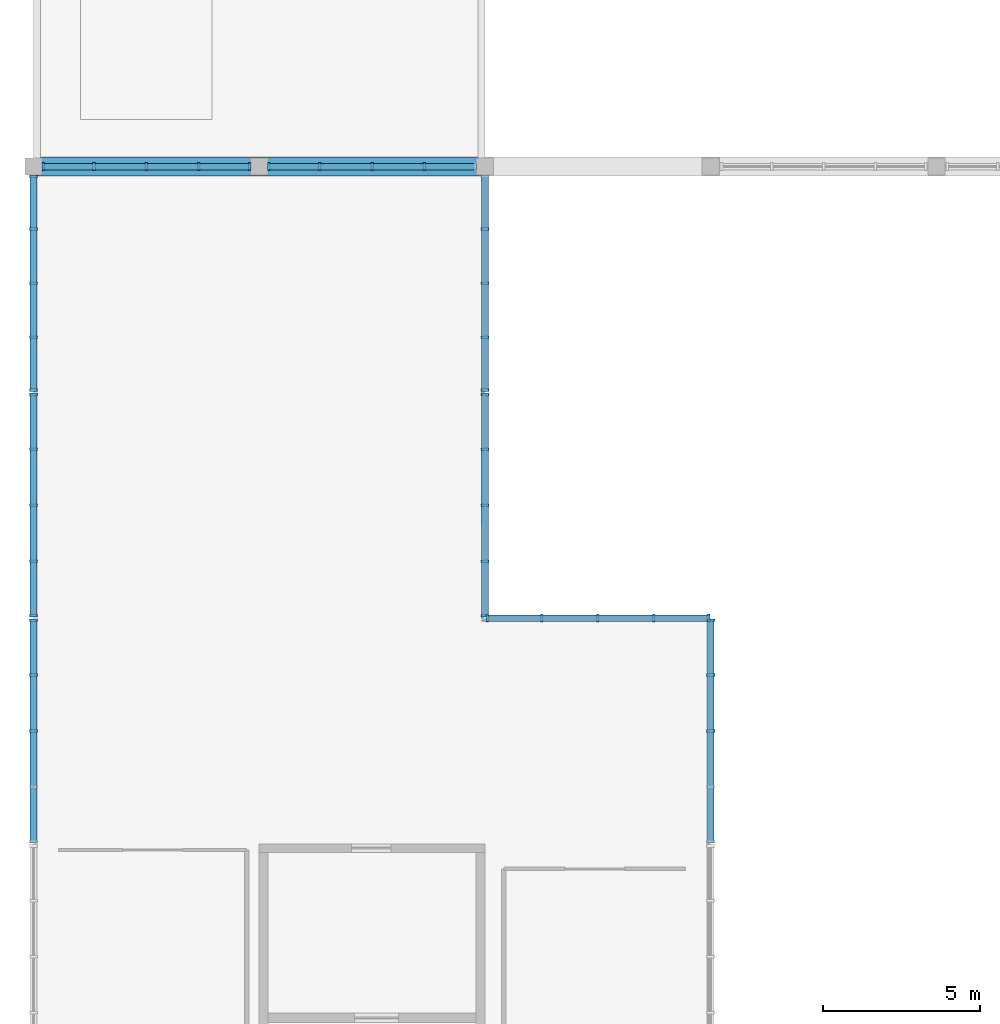
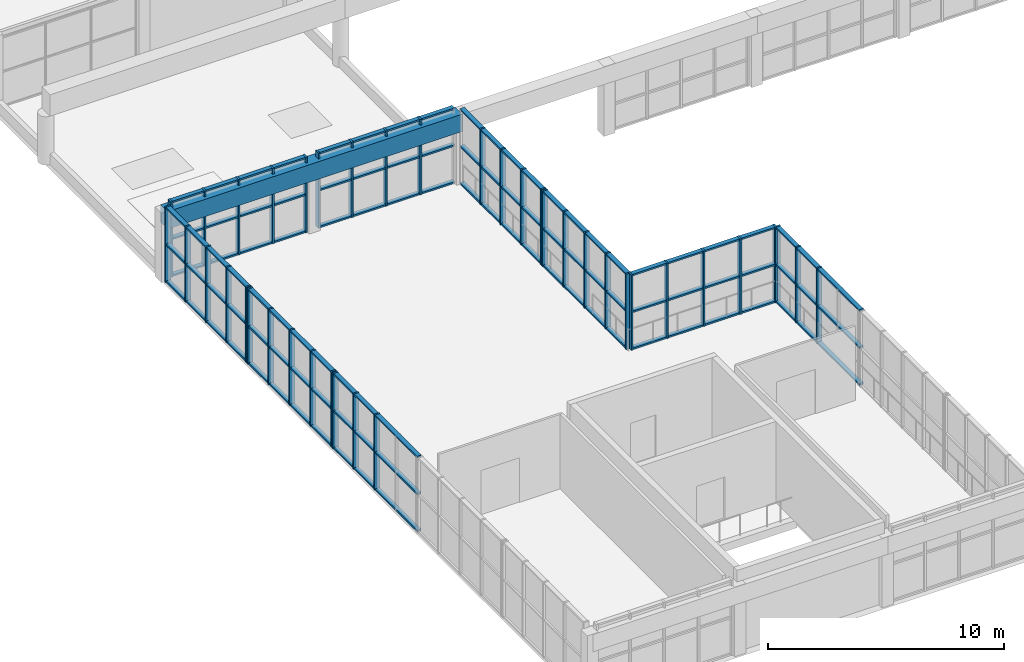
# One storey, part 9 of 83: 66 members, 1 beam, 9 elements without a shape of their own.
"""IFC4 building model written with IfcOpenShell, lengths in metres."""

from ifc_helpers import new_model, si_unit, direction, frame, origin, origin_2d, place, context, subcontext, project, spatial, rectangle, extrude, material, material_profile, profile_set, type_object, element, aggregate, save


model = new_model("IFC4")

# Units and contexts
model_context = context("Model", 3, precision=1e-05, world=origin(), true_north=direction((0.0, 1.0)))
body_context = subcontext(model_context, "Body", "Model", "MODEL_VIEW")
ifc_project = project(units=[si_unit("LENGTHUNIT", "METRE"), si_unit("AREAUNIT", "SQUARE_METRE"), si_unit("VOLUMEUNIT", "CUBIC_METRE"), si_unit("PLANEANGLEUNIT", "RADIAN"), si_unit("MASSUNIT", "GRAM", prefix="KILO")], contexts=[model_context])

# Site, building, storey
site_placement = place(None, origin())
site = spatial("IfcSite", under=ifc_project, at=site_placement, CompositionType="ELEMENT")
building_placement = place(site_placement, origin())
building = spatial("IfcBuilding", under=site, at=building_placement, Name="Leyfeld Transit Interchange", CompositionType="ELEMENT")
storey_placement = place(building_placement, frame((0.0, 0.0, 5.39990234375)))
storey = spatial("IfcBuildingStorey", under=building, at=storey_placement, Name="L01", CompositionType="ELEMENT", Elevation=5.39990234375)

# Beam
ifc_material_1 = material(Name="Concrete C35/45", Category="concrete")
ifc_material_profile_1 = material_profile(ifc_material_1, rectangle(XDim=0.60009765625, YDim=0.89990234375, at=origin_2d()), Name="RC 900x600")
ifc_profile_set_1 = profile_set([ifc_material_profile_1], Name="Concrete C35/45")
beam_type = type_object("IfcBeamType", Name="BM-RC-900x600", PredefinedType="JOIST", material=ifc_profile_set_1)
beam_placement = place(storey_placement, frame((0.0, 50.39990234375, 3.150146484375), z_axis=(1.0, 0.0, 0.0), x_axis=(0.0, 1.0, 0.0)))
element("IfcBeam", 1, at=beam_placement, inside=storey, type_object=beam_type, Name="Concourse Hall Flank Beam HN Bay 1", PredefinedType="JOIST", context=body_context, shape_type="SweptSolid", body=[
    extrude(rectangle(XDim=0.60009765625, YDim=0.89990234375, at=origin_2d()), origin(), (0.0, 0.0, 1.0), 14.39990234375),
])

# Curtain wall, members
ifc_material_2 = material(Name="Anodised aluminium EN AW-6060 T66", Category="aluminium")
curtain_wall_type = type_object("IfcCurtainWallType", Name="CW-SYS-ARC-7200", PredefinedType="NOTDEFINED", material=ifc_material_2)
curtain_wall_1_placement = place(storey_placement, origin())
curtain_wall_1 = element("IfcCurtainWall", 2, at=curtain_wall_1_placement, inside=storey, type_object=curtain_wall_type, Name="Curtain Wall CW-L01-054", PredefinedType="NOTDEFINED")
ifc_material_profile_2 = material_profile(ifc_material_2, rectangle(XDim=0.0849609375, YDim=0.260009765625, at=origin_2d()), Name="CW-M 85x260")
ifc_profile_set_2 = profile_set([ifc_material_profile_2], Name="Anodised aluminium EN AW-6060 T66")
member_type_1 = type_object("IfcMemberType", Name="CW-MUL-220x80", PredefinedType="MULLION", material=ifc_profile_set_2)
member_1_placement = place(storey_placement, frame((0.0, 32.39990234375, 0.0), z_axis=(0.0, 0.0, 1.0), x_axis=(0.0, 1.0, 0.0)))
member_1 = element("IfcMember", 3, at=member_1_placement, type_object=member_type_1, Name="Curtain Mullion CW-L01-054-M03", PredefinedType="MULLION", context=body_context, shape_type="SweptSolid", body=[
    extrude(rectangle(XDim=0.0849609375, YDim=0.260009765625, at=origin_2d()), origin(), (0.0, 0.0, 1.0), 3.900146484375),
])
member_2_placement = place(storey_placement, frame((0.0, 34.18505859375, 0.0), z_axis=(0.0, 0.0, 1.0), x_axis=(0.0, 1.0, 0.0)))
member_2 = element("IfcMember", 4, at=member_2_placement, type_object=member_type_1, Name="Curtain Mullion CW-L01-054-M04", PredefinedType="MULLION", context=body_context, shape_type="SweptSolid", body=[
    extrude(rectangle(XDim=0.0849609375, YDim=0.260009765625, at=origin_2d()), origin(), (0.0, 0.0, 1.0), 3.900146484375),
])
member_3_placement = place(storey_placement, frame((0.0, 35.927490234375, 0.0), z_axis=(0.0, 0.0, 1.0), x_axis=(0.0, 1.0, 0.0)))
member_3 = element("IfcMember", 5, at=member_3_placement, type_object=member_type_1, Name="Curtain Mullion CW-L01-054-M05", PredefinedType="MULLION", context=body_context, shape_type="SweptSolid", body=[
    extrude(rectangle(XDim=0.0849609375, YDim=0.260009765625, at=origin_2d()), origin(), (0.0, 0.0, 1.0), 3.900146484375),
])

curtain_wall_2_placement = place(storey_placement, origin())
curtain_wall_2 = element("IfcCurtainWall", 6, at=curtain_wall_2_placement, inside=storey, type_object=curtain_wall_type, Name="Curtain Wall CW-L01-055", PredefinedType="NOTDEFINED")
member_4_placement = place(storey_placement, frame((0.0, 36.072509765625, 0.0), z_axis=(0.0, 0.0, 1.0), x_axis=(0.0, 1.0, 0.0)))
member_4 = element("IfcMember", 7, at=member_4_placement, type_object=member_type_1, Name="Curtain Mullion CW-L01-055-M01", PredefinedType="MULLION", context=body_context, shape_type="SweptSolid", body=[
    extrude(rectangle(XDim=0.0849609375, YDim=0.260009765625, at=origin_2d()), origin(), (0.0, 0.0, 1.0), 3.900146484375),
])
member_5_placement = place(storey_placement, frame((0.0, 37.81494140625, 0.0), z_axis=(0.0, 0.0, 1.0), x_axis=(0.0, 1.0, 0.0)))
member_5 = element("IfcMember", 8, at=member_5_placement, type_object=member_type_1, Name="Curtain Mullion CW-L01-055-M02", PredefinedType="MULLION", context=body_context, shape_type="SweptSolid", body=[
    extrude(rectangle(XDim=0.0849609375, YDim=0.260009765625, at=origin_2d()), origin(), (0.0, 0.0, 1.0), 3.900146484375),
])
member_6_placement = place(storey_placement, frame((0.0, 39.60009765625, 0.0), z_axis=(0.0, 0.0, 1.0), x_axis=(0.0, 1.0, 0.0)))
member_6 = element("IfcMember", 9, at=member_6_placement, type_object=member_type_1, Name="Curtain Mullion CW-L01-055-M03", PredefinedType="MULLION", context=body_context, shape_type="SweptSolid", body=[
    extrude(rectangle(XDim=0.0849609375, YDim=0.260009765625, at=origin_2d()), origin(), (0.0, 0.0, 1.0), 3.900146484375),
])
member_7_placement = place(storey_placement, frame((0.0, 41.385009765625, 0.0), z_axis=(0.0, 0.0, 1.0), x_axis=(0.0, 1.0, 0.0)))
member_7 = element("IfcMember", 10, at=member_7_placement, type_object=member_type_1, Name="Curtain Mullion CW-L01-055-M04", PredefinedType="MULLION", context=body_context, shape_type="SweptSolid", body=[
    extrude(rectangle(XDim=0.0849609375, YDim=0.260009765625, at=origin_2d()), origin(), (0.0, 0.0, 1.0), 3.900146484375),
])
member_8_placement = place(storey_placement, frame((0.0, 43.12744140625, 0.0), z_axis=(0.0, 0.0, 1.0), x_axis=(0.0, 1.0, 0.0)))
member_8 = element("IfcMember", 11, at=member_8_placement, type_object=member_type_1, Name="Curtain Mullion CW-L01-055-M05", PredefinedType="MULLION", context=body_context, shape_type="SweptSolid", body=[
    extrude(rectangle(XDim=0.0849609375, YDim=0.260009765625, at=origin_2d()), origin(), (0.0, 0.0, 1.0), 3.900146484375),
])

curtain_wall_3_placement = place(storey_placement, origin())
curtain_wall_3 = element("IfcCurtainWall", 12, at=curtain_wall_3_placement, inside=storey, type_object=curtain_wall_type, Name="Curtain Wall CW-L01-056", PredefinedType="NOTDEFINED")
member_9_placement = place(storey_placement, frame((0.0, 43.2724609375, 0.0), z_axis=(0.0, 0.0, 1.0), x_axis=(0.0, 1.0, 0.0)))
member_9 = element("IfcMember", 13, at=member_9_placement, type_object=member_type_1, Name="Curtain Mullion CW-L01-056-M01", PredefinedType="MULLION", context=body_context, shape_type="SweptSolid", body=[
    extrude(rectangle(XDim=0.0849609375, YDim=0.260009765625, at=origin_2d()), origin(), (0.0, 0.0, 1.0), 3.900146484375),
])
member_10_placement = place(storey_placement, frame((0.0, 44.956298828125, 0.0), z_axis=(0.0, 0.0, 1.0), x_axis=(0.0, 1.0, 0.0)))
member_10 = element("IfcMember", 14, at=member_10_placement, type_object=member_type_1, Name="Curtain Mullion CW-L01-056-M02", PredefinedType="MULLION", context=body_context, shape_type="SweptSolid", body=[
    extrude(rectangle(XDim=0.0849609375, YDim=0.260009765625, at=origin_2d()), origin(), (0.0, 0.0, 1.0), 3.900146484375),
])
member_11_placement = place(storey_placement, frame((0.0, 46.6826171875, 0.0), z_axis=(0.0, 0.0, 1.0), x_axis=(0.0, 1.0, 0.0)))
member_11 = element("IfcMember", 15, at=member_11_placement, type_object=member_type_1, Name="Curtain Mullion CW-L01-056-M03", PredefinedType="MULLION", context=body_context, shape_type="SweptSolid", body=[
    extrude(rectangle(XDim=0.0849609375, YDim=0.260009765625, at=origin_2d()), origin(), (0.0, 0.0, 1.0), 3.900146484375),
])
member_12_placement = place(storey_placement, frame((0.0, 48.40869140625, 0.0), z_axis=(0.0, 0.0, 1.0), x_axis=(0.0, 1.0, 0.0)))
member_12 = element("IfcMember", 16, at=member_12_placement, type_object=member_type_1, Name="Curtain Mullion CW-L01-056-M04", PredefinedType="MULLION", context=body_context, shape_type="SweptSolid", body=[
    extrude(rectangle(XDim=0.0849609375, YDim=0.260009765625, at=origin_2d()), origin(), (0.0, 0.0, 1.0), 3.900146484375),
])
member_13_placement = place(storey_placement, frame((0.0, 50.092529296875, 0.0), z_axis=(0.0, 0.0, 1.0), x_axis=(0.0, 1.0, 0.0)))
member_13 = element("IfcMember", 17, at=member_13_placement, type_object=member_type_1, Name="Curtain Mullion CW-L01-056-M05", PredefinedType="MULLION", context=body_context, shape_type="SweptSolid", body=[
    extrude(rectangle(XDim=0.0849609375, YDim=0.260009765625, at=origin_2d()), origin(), (0.0, 0.0, 1.0), 3.900146484375),
])

curtain_wall_4_placement = place(storey_placement, origin())
curtain_wall_4 = element("IfcCurtainWall", 18, at=curtain_wall_4_placement, inside=storey, type_object=curtain_wall_type, Name="Curtain Wall CW-L01-057", PredefinedType="NOTDEFINED")
member_14_placement = place(storey_placement, frame((0.3076171875, 50.39990234375, 0.0), z_axis=(0.0, 0.0, 1.0), x_axis=(1.0, 0.0, 0.0)))
member_14 = element("IfcMember", 19, at=member_14_placement, type_object=member_type_1, Name="Curtain Mullion CW-L01-057-M01", PredefinedType="MULLION", context=body_context, shape_type="SweptSolid", body=[
    extrude(rectangle(XDim=0.0849609375, YDim=0.260009765625, at=origin_2d()), origin(), (0.0, 0.0, 1.0), 3.900146484375),
])
member_15_placement = place(storey_placement, frame((1.9326171875, 50.39990234375, 0.0), z_axis=(0.0, 0.0, 1.0), x_axis=(1.0, 0.0, 0.0)))
member_15 = element("IfcMember", 20, at=member_15_placement, type_object=member_type_1, Name="Curtain Mullion CW-L01-057-M02", PredefinedType="MULLION", context=body_context, shape_type="SweptSolid", body=[
    extrude(rectangle(XDim=0.0849609375, YDim=0.260009765625, at=origin_2d()), origin(), (0.0, 0.0, 1.0), 3.900146484375),
])
member_16_placement = place(storey_placement, frame((3.60009765625, 50.39990234375, 0.0), z_axis=(0.0, 0.0, 1.0), x_axis=(1.0, 0.0, 0.0)))
member_16 = element("IfcMember", 21, at=member_16_placement, type_object=member_type_1, Name="Curtain Mullion CW-L01-057-M03", PredefinedType="MULLION", context=body_context, shape_type="SweptSolid", body=[
    extrude(rectangle(XDim=0.0849609375, YDim=0.260009765625, at=origin_2d()), origin(), (0.0, 0.0, 1.0), 3.900146484375),
])
member_17_placement = place(storey_placement, frame((5.267578125, 50.39990234375, 0.0), z_axis=(0.0, 0.0, 1.0), x_axis=(1.0, 0.0, 0.0)))
member_17 = element("IfcMember", 22, at=member_17_placement, type_object=member_type_1, Name="Curtain Mullion CW-L01-057-M04", PredefinedType="MULLION", context=body_context, shape_type="SweptSolid", body=[
    extrude(rectangle(XDim=0.0849609375, YDim=0.260009765625, at=origin_2d()), origin(), (0.0, 0.0, 1.0), 3.900146484375),
])
member_18_placement = place(storey_placement, frame((6.892578125, 50.39990234375, 0.0), z_axis=(0.0, 0.0, 1.0), x_axis=(1.0, 0.0, 0.0)))
member_18 = element("IfcMember", 23, at=member_18_placement, type_object=member_type_1, Name="Curtain Mullion CW-L01-057-M05", PredefinedType="MULLION", context=body_context, shape_type="SweptSolid", body=[
    extrude(rectangle(XDim=0.0849609375, YDim=0.260009765625, at=origin_2d()), origin(), (0.0, 0.0, 1.0), 3.900146484375),
])

curtain_wall_5_placement = place(storey_placement, origin())
curtain_wall_5 = element("IfcCurtainWall", 24, at=curtain_wall_5_placement, inside=storey, type_object=curtain_wall_type, Name="Curtain Wall CW-L01-058", PredefinedType="NOTDEFINED")
member_19_placement = place(storey_placement, frame((7.507568359375, 50.39990234375, 0.0), z_axis=(0.0, 0.0, 1.0), x_axis=(1.0, 0.0, 0.0)))
member_19 = element("IfcMember", 25, at=member_19_placement, type_object=member_type_1, Name="Curtain Mullion CW-L01-058-M01", PredefinedType="MULLION", context=body_context, shape_type="SweptSolid", body=[
    extrude(rectangle(XDim=0.0849609375, YDim=0.260009765625, at=origin_2d()), origin(), (0.0, 0.0, 1.0), 3.900146484375),
])
member_20_placement = place(storey_placement, frame((9.132568359375, 50.39990234375, 0.0), z_axis=(0.0, 0.0, 1.0), x_axis=(1.0, 0.0, 0.0)))
member_20 = element("IfcMember", 26, at=member_20_placement, type_object=member_type_1, Name="Curtain Mullion CW-L01-058-M02", PredefinedType="MULLION", context=body_context, shape_type="SweptSolid", body=[
    extrude(rectangle(XDim=0.0849609375, YDim=0.260009765625, at=origin_2d()), origin(), (0.0, 0.0, 1.0), 3.900146484375),
])
member_21_placement = place(storey_placement, frame((10.800048828125, 50.39990234375, 0.0), z_axis=(0.0, 0.0, 1.0), x_axis=(1.0, 0.0, 0.0)))
member_21 = element("IfcMember", 27, at=member_21_placement, type_object=member_type_1, Name="Curtain Mullion CW-L01-058-M03", PredefinedType="MULLION", context=body_context, shape_type="SweptSolid", body=[
    extrude(rectangle(XDim=0.0849609375, YDim=0.260009765625, at=origin_2d()), origin(), (0.0, 0.0, 1.0), 3.900146484375),
])
member_22_placement = place(storey_placement, frame((12.467529296875, 50.39990234375, 0.0), z_axis=(0.0, 0.0, 1.0), x_axis=(1.0, 0.0, 0.0)))
member_22 = element("IfcMember", 28, at=member_22_placement, type_object=member_type_1, Name="Curtain Mullion CW-L01-058-M04", PredefinedType="MULLION", context=body_context, shape_type="SweptSolid", body=[
    extrude(rectangle(XDim=0.0849609375, YDim=0.260009765625, at=origin_2d()), origin(), (0.0, 0.0, 1.0), 3.900146484375),
])

curtain_wall_6_placement = place(storey_placement, origin())
curtain_wall_6 = element("IfcCurtainWall", 29, at=curtain_wall_6_placement, inside=storey, type_object=curtain_wall_type, Name="Curtain Wall CW-L01-059", PredefinedType="NOTDEFINED")
member_23_placement = place(storey_placement, frame((14.39990234375, 48.40869140625, 0.0), z_axis=(0.0, 0.0, 1.0), x_axis=(0.0, -1.0, 0.0)))
member_23 = element("IfcMember", 30, at=member_23_placement, type_object=member_type_1, Name="Curtain Mullion CW-L01-059-M02", PredefinedType="MULLION", context=body_context, shape_type="SweptSolid", body=[
    extrude(rectangle(XDim=0.0849609375, YDim=0.260009765625, at=origin_2d()), origin(), (0.0, 0.0, 1.0), 3.900146484375),
])
member_24_placement = place(storey_placement, frame((14.39990234375, 46.6826171875, 0.0), z_axis=(0.0, 0.0, 1.0), x_axis=(0.0, -1.0, 0.0)))
member_24 = element("IfcMember", 31, at=member_24_placement, type_object=member_type_1, Name="Curtain Mullion CW-L01-059-M03", PredefinedType="MULLION", context=body_context, shape_type="SweptSolid", body=[
    extrude(rectangle(XDim=0.0849609375, YDim=0.260009765625, at=origin_2d()), origin(), (0.0, 0.0, 1.0), 3.900146484375),
])
member_25_placement = place(storey_placement, frame((14.39990234375, 44.956298828125, 0.0), z_axis=(0.0, 0.0, 1.0), x_axis=(0.0, -1.0, 0.0)))
member_25 = element("IfcMember", 32, at=member_25_placement, type_object=member_type_1, Name="Curtain Mullion CW-L01-059-M04", PredefinedType="MULLION", context=body_context, shape_type="SweptSolid", body=[
    extrude(rectangle(XDim=0.0849609375, YDim=0.260009765625, at=origin_2d()), origin(), (0.0, 0.0, 1.0), 3.900146484375),
])
member_26_placement = place(storey_placement, frame((14.39990234375, 43.2724609375, 0.0), z_axis=(0.0, 0.0, 1.0), x_axis=(0.0, -1.0, 0.0)))
member_26 = element("IfcMember", 33, at=member_26_placement, type_object=member_type_1, Name="Curtain Mullion CW-L01-059-M05", PredefinedType="MULLION", context=body_context, shape_type="SweptSolid", body=[
    extrude(rectangle(XDim=0.0849609375, YDim=0.260009765625, at=origin_2d()), origin(), (0.0, 0.0, 1.0), 3.900146484375),
])

curtain_wall_7_placement = place(storey_placement, origin())
curtain_wall_7 = element("IfcCurtainWall", 34, at=curtain_wall_7_placement, inside=storey, type_object=curtain_wall_type, Name="Curtain Wall CW-L01-060", PredefinedType="NOTDEFINED")
member_27_placement = place(storey_placement, frame((14.39990234375, 43.12744140625, 0.0), z_axis=(0.0, 0.0, 1.0), x_axis=(0.0, -1.0, 0.0)))
member_27 = element("IfcMember", 35, at=member_27_placement, type_object=member_type_1, Name="Curtain Mullion CW-L01-060-M01", PredefinedType="MULLION", context=body_context, shape_type="SweptSolid", body=[
    extrude(rectangle(XDim=0.0849609375, YDim=0.260009765625, at=origin_2d()), origin(), (0.0, 0.0, 1.0), 3.900146484375),
])
member_28_placement = place(storey_placement, frame((14.39990234375, 41.385009765625, 0.0), z_axis=(0.0, 0.0, 1.0), x_axis=(0.0, -1.0, 0.0)))
member_28 = element("IfcMember", 36, at=member_28_placement, type_object=member_type_1, Name="Curtain Mullion CW-L01-060-M02", PredefinedType="MULLION", context=body_context, shape_type="SweptSolid", body=[
    extrude(rectangle(XDim=0.0849609375, YDim=0.260009765625, at=origin_2d()), origin(), (0.0, 0.0, 1.0), 3.900146484375),
])
member_29_placement = place(storey_placement, frame((14.39990234375, 39.60009765625, 0.0), z_axis=(0.0, 0.0, 1.0), x_axis=(0.0, -1.0, 0.0)))
member_29 = element("IfcMember", 37, at=member_29_placement, type_object=member_type_1, Name="Curtain Mullion CW-L01-060-M03", PredefinedType="MULLION", context=body_context, shape_type="SweptSolid", body=[
    extrude(rectangle(XDim=0.0849609375, YDim=0.260009765625, at=origin_2d()), origin(), (0.0, 0.0, 1.0), 3.900146484375),
])
member_30_placement = place(storey_placement, frame((14.39990234375, 37.81494140625, 0.0), z_axis=(0.0, 0.0, 1.0), x_axis=(0.0, -1.0, 0.0)))
member_30 = element("IfcMember", 38, at=member_30_placement, type_object=member_type_1, Name="Curtain Mullion CW-L01-060-M04", PredefinedType="MULLION", context=body_context, shape_type="SweptSolid", body=[
    extrude(rectangle(XDim=0.0849609375, YDim=0.260009765625, at=origin_2d()), origin(), (0.0, 0.0, 1.0), 3.900146484375),
])
member_31_placement = place(storey_placement, frame((14.39990234375, 36.072509765625, 0.0), z_axis=(0.0, 0.0, 1.0), x_axis=(0.0, -1.0, 0.0)))
member_31 = element("IfcMember", 39, at=member_31_placement, type_object=member_type_1, Name="Curtain Mullion CW-L01-060-M05", PredefinedType="MULLION", context=body_context, shape_type="SweptSolid", body=[
    extrude(rectangle(XDim=0.0849609375, YDim=0.260009765625, at=origin_2d()), origin(), (0.0, 0.0, 1.0), 3.900146484375),
])

curtain_wall_8_placement = place(storey_placement, origin())
curtain_wall_8 = element("IfcCurtainWall", 40, at=curtain_wall_8_placement, inside=storey, type_object=curtain_wall_type, Name="Curtain Wall CW-L01-061", PredefinedType="NOTDEFINED")
member_32_placement = place(storey_placement, frame((14.472412109375, 36.0, 0.0), z_axis=(0.0, 0.0, 1.0), x_axis=(1.0, 0.0, 0.0)))
member_32 = element("IfcMember", 41, at=member_32_placement, type_object=member_type_1, Name="Curtain Mullion CW-L01-061-M01", PredefinedType="MULLION", context=body_context, shape_type="SweptSolid", body=[
    extrude(rectangle(XDim=0.0849609375, YDim=0.260009765625, at=origin_2d()), origin(), (0.0, 0.0, 1.0), 3.900146484375),
])
member_33_placement = place(storey_placement, frame((16.215087890625, 36.0, 0.0), z_axis=(0.0, 0.0, 1.0), x_axis=(1.0, 0.0, 0.0)))
member_33 = element("IfcMember", 42, at=member_33_placement, type_object=member_type_1, Name="Curtain Mullion CW-L01-061-M02", PredefinedType="MULLION", context=body_context, shape_type="SweptSolid", body=[
    extrude(rectangle(XDim=0.0849609375, YDim=0.260009765625, at=origin_2d()), origin(), (0.0, 0.0, 1.0), 3.900146484375),
])
member_34_placement = place(storey_placement, frame((18.0, 36.0, 0.0), z_axis=(0.0, 0.0, 1.0), x_axis=(1.0, 0.0, 0.0)))
member_34 = element("IfcMember", 43, at=member_34_placement, type_object=member_type_1, Name="Curtain Mullion CW-L01-061-M03", PredefinedType="MULLION", context=body_context, shape_type="SweptSolid", body=[
    extrude(rectangle(XDim=0.0849609375, YDim=0.260009765625, at=origin_2d()), origin(), (0.0, 0.0, 1.0), 3.900146484375),
])
member_35_placement = place(storey_placement, frame((19.784912109375, 36.0, 0.0), z_axis=(0.0, 0.0, 1.0), x_axis=(1.0, 0.0, 0.0)))
member_35 = element("IfcMember", 44, at=member_35_placement, type_object=member_type_1, Name="Curtain Mullion CW-L01-061-M04", PredefinedType="MULLION", context=body_context, shape_type="SweptSolid", body=[
    extrude(rectangle(XDim=0.0849609375, YDim=0.260009765625, at=origin_2d()), origin(), (0.0, 0.0, 1.0), 3.900146484375),
])
member_36_placement = place(storey_placement, frame((21.527587890625, 36.0, 0.0), z_axis=(0.0, 0.0, 1.0), x_axis=(1.0, 0.0, 0.0)))
member_36 = element("IfcMember", 45, at=member_36_placement, type_object=member_type_1, Name="Curtain Mullion CW-L01-061-M05", PredefinedType="MULLION", context=body_context, shape_type="SweptSolid", body=[
    extrude(rectangle(XDim=0.0849609375, YDim=0.260009765625, at=origin_2d()), origin(), (0.0, 0.0, 1.0), 3.900146484375),
])

curtain_wall_9_placement = place(storey_placement, origin())
curtain_wall_9 = element("IfcCurtainWall", 46, at=curtain_wall_9_placement, inside=storey, type_object=curtain_wall_type, Name="Curtain Wall CW-L01-062", PredefinedType="NOTDEFINED")
member_37_placement = place(storey_placement, frame((21.60009765625, 35.927490234375, 0.0), z_axis=(0.0, 0.0, 1.0), x_axis=(0.0, -1.0, 0.0)))
member_37 = element("IfcMember", 47, at=member_37_placement, type_object=member_type_1, Name="Curtain Mullion CW-L01-062-M01", PredefinedType="MULLION", context=body_context, shape_type="SweptSolid", body=[
    extrude(rectangle(XDim=0.0849609375, YDim=0.260009765625, at=origin_2d()), origin(), (0.0, 0.0, 1.0), 3.900146484375),
])
member_38_placement = place(storey_placement, frame((21.60009765625, 34.18505859375, 0.0), z_axis=(0.0, 0.0, 1.0), x_axis=(0.0, -1.0, 0.0)))
member_38 = element("IfcMember", 48, at=member_38_placement, type_object=member_type_1, Name="Curtain Mullion CW-L01-062-M02", PredefinedType="MULLION", context=body_context, shape_type="SweptSolid", body=[
    extrude(rectangle(XDim=0.0849609375, YDim=0.260009765625, at=origin_2d()), origin(), (0.0, 0.0, 1.0), 3.900146484375),
])
member_39_placement = place(storey_placement, frame((21.60009765625, 32.39990234375, 0.0), z_axis=(0.0, 0.0, 1.0), x_axis=(0.0, -1.0, 0.0)))
member_39 = element("IfcMember", 49, at=member_39_placement, type_object=member_type_1, Name="Curtain Mullion CW-L01-062-M03", PredefinedType="MULLION", context=body_context, shape_type="SweptSolid", body=[
    extrude(rectangle(XDim=0.0849609375, YDim=0.260009765625, at=origin_2d()), origin(), (0.0, 0.0, 1.0), 3.900146484375),
])

# Member
ifc_material_profile_3 = material_profile(ifc_material_2, rectangle(XDim=0.2099609375, YDim=0.0849609375, at=origin_2d()), Name="CW-TRN-200x80")
ifc_profile_set_3 = profile_set([ifc_material_profile_3], Name="Anodised aluminium EN AW-6060 T66")
member_type_2 = type_object("IfcMemberType", Name="CW-TRN-200x80", PredefinedType="USERDEFINED", material=ifc_profile_set_3)
member_40_placement = place(storey_placement, frame((0.0, 28.830078125, 0.04248046875), z_axis=(0.0, 1.0, 0.0), x_axis=(-1.0, 0.0, 0.0)))
member_40 = element("IfcMember", 50, at=member_40_placement, type_object=member_type_2, Name="Curtain Transom CW-L01-054-T01", ObjectType="TRANSOM", PredefinedType="USERDEFINED", context=body_context, shape_type="SweptSolid", body=[
    extrude(rectangle(XDim=0.2099609375, YDim=0.0849609375, at=origin_2d()), origin(), (0.0, 0.0, 1.0), 7.139892578125),
])

member_41_placement = place(storey_placement, frame((0.0, 28.830078125, 1.9501953125), z_axis=(0.0, 1.0, 0.0), x_axis=(-1.0, 0.0, 0.0)))
member_41 = element("IfcMember", 51, at=member_41_placement, type_object=member_type_2, Name="Curtain Transom CW-L01-054-T02", ObjectType="TRANSOM", PredefinedType="USERDEFINED", context=body_context, shape_type="SweptSolid", body=[
    extrude(rectangle(XDim=0.2099609375, YDim=0.0849609375, at=origin_2d()), origin(), (0.0, 0.0, 1.0), 7.139892578125),
])

member_42_placement = place(storey_placement, frame((0.0, 28.830078125, 3.857666015625), z_axis=(0.0, 1.0, 0.0), x_axis=(-1.0, 0.0, 0.0)))
member_42 = element("IfcMember", 52, at=member_42_placement, type_object=member_type_2, Name="Curtain Transom CW-L01-054-T03", ObjectType="TRANSOM", PredefinedType="USERDEFINED", context=body_context, shape_type="SweptSolid", body=[
    extrude(rectangle(XDim=0.2099609375, YDim=0.0849609375, at=origin_2d()), origin(), (0.0, 0.0, 1.0), 7.139892578125),
])

aggregate(curtain_wall_1, [member_1, member_2, member_3, member_40, member_41, member_42])

member_43_placement = place(storey_placement, frame((0.0, 36.030029296875, 0.04248046875), z_axis=(0.0, 1.0, 0.0), x_axis=(-1.0, 0.0, 0.0)))
member_43 = element("IfcMember", 53, at=member_43_placement, type_object=member_type_2, Name="Curtain Transom CW-L01-055-T01", ObjectType="TRANSOM", PredefinedType="USERDEFINED", context=body_context, shape_type="SweptSolid", body=[
    extrude(rectangle(XDim=0.2099609375, YDim=0.0849609375, at=origin_2d()), origin(), (0.0, 0.0, 1.0), 7.139892578125),
])

member_44_placement = place(storey_placement, frame((0.0, 36.030029296875, 1.9501953125), z_axis=(0.0, 1.0, 0.0), x_axis=(-1.0, 0.0, 0.0)))
member_44 = element("IfcMember", 54, at=member_44_placement, type_object=member_type_2, Name="Curtain Transom CW-L01-055-T02", ObjectType="TRANSOM", PredefinedType="USERDEFINED", context=body_context, shape_type="SweptSolid", body=[
    extrude(rectangle(XDim=0.2099609375, YDim=0.0849609375, at=origin_2d()), origin(), (0.0, 0.0, 1.0), 7.139892578125),
])

member_45_placement = place(storey_placement, frame((0.0, 36.030029296875, 3.857666015625), z_axis=(0.0, 1.0, 0.0), x_axis=(-1.0, 0.0, 0.0)))
member_45 = element("IfcMember", 55, at=member_45_placement, type_object=member_type_2, Name="Curtain Transom CW-L01-055-T03", ObjectType="TRANSOM", PredefinedType="USERDEFINED", context=body_context, shape_type="SweptSolid", body=[
    extrude(rectangle(XDim=0.2099609375, YDim=0.0849609375, at=origin_2d()), origin(), (0.0, 0.0, 1.0), 7.139892578125),
])

aggregate(curtain_wall_2, [member_4, member_5, member_6, member_7, member_8, member_43, member_44, member_45])

member_46_placement = place(storey_placement, frame((0.0, 43.22998046875, 0.04248046875), z_axis=(0.0, 1.0, 0.0), x_axis=(-1.0, 0.0, 0.0)))
member_46 = element("IfcMember", 56, at=member_46_placement, type_object=member_type_2, Name="Curtain Transom CW-L01-056-T01", ObjectType="TRANSOM", PredefinedType="USERDEFINED", context=body_context, shape_type="SweptSolid", body=[
    extrude(rectangle(XDim=0.2099609375, YDim=0.0849609375, at=origin_2d()), origin(), (0.0, 0.0, 1.0), 6.905029296875),
])

member_47_placement = place(storey_placement, frame((0.0, 43.22998046875, 1.9501953125), z_axis=(0.0, 1.0, 0.0), x_axis=(-1.0, 0.0, 0.0)))
member_47 = element("IfcMember", 57, at=member_47_placement, type_object=member_type_2, Name="Curtain Transom CW-L01-056-T02", ObjectType="TRANSOM", PredefinedType="USERDEFINED", context=body_context, shape_type="SweptSolid", body=[
    extrude(rectangle(XDim=0.2099609375, YDim=0.0849609375, at=origin_2d()), origin(), (0.0, 0.0, 1.0), 6.905029296875),
])

member_48_placement = place(storey_placement, frame((0.0, 43.22998046875, 3.857666015625), z_axis=(0.0, 1.0, 0.0), x_axis=(-1.0, 0.0, 0.0)))
member_48 = element("IfcMember", 58, at=member_48_placement, type_object=member_type_2, Name="Curtain Transom CW-L01-056-T03", ObjectType="TRANSOM", PredefinedType="USERDEFINED", context=body_context, shape_type="SweptSolid", body=[
    extrude(rectangle(XDim=0.2099609375, YDim=0.0849609375, at=origin_2d()), origin(), (0.0, 0.0, 1.0), 6.905029296875),
])

aggregate(curtain_wall_3, [member_9, member_10, member_11, member_12, member_13, member_46, member_47, member_48])

member_49_placement = place(storey_placement, frame((0.264892578125, 50.39990234375, 0.04248046875), z_axis=(1.0, 0.0, 0.0), x_axis=(0.0, 1.0, 0.0)))
member_49 = element("IfcMember", 59, at=member_49_placement, type_object=member_type_2, Name="Curtain Transom CW-L01-057-T01", ObjectType="TRANSOM", PredefinedType="USERDEFINED", context=body_context, shape_type="SweptSolid", body=[
    extrude(rectangle(XDim=0.2099609375, YDim=0.0849609375, at=origin_2d()), origin(), (0.0, 0.0, 1.0), 6.670166015625),
])

member_50_placement = place(storey_placement, frame((0.264892578125, 50.39990234375, 1.9501953125), z_axis=(1.0, 0.0, 0.0), x_axis=(0.0, 1.0, 0.0)))
member_50 = element("IfcMember", 60, at=member_50_placement, type_object=member_type_2, Name="Curtain Transom CW-L01-057-T02", ObjectType="TRANSOM", PredefinedType="USERDEFINED", context=body_context, shape_type="SweptSolid", body=[
    extrude(rectangle(XDim=0.2099609375, YDim=0.0849609375, at=origin_2d()), origin(), (0.0, 0.0, 1.0), 6.670166015625),
])

member_51_placement = place(storey_placement, frame((0.264892578125, 50.39990234375, 3.857666015625), z_axis=(1.0, 0.0, 0.0), x_axis=(0.0, 1.0, 0.0)))
member_51 = element("IfcMember", 61, at=member_51_placement, type_object=member_type_2, Name="Curtain Transom CW-L01-057-T03", ObjectType="TRANSOM", PredefinedType="USERDEFINED", context=body_context, shape_type="SweptSolid", body=[
    extrude(rectangle(XDim=0.2099609375, YDim=0.0849609375, at=origin_2d()), origin(), (0.0, 0.0, 1.0), 6.670166015625),
])

aggregate(curtain_wall_4, [member_14, member_15, member_16, member_17, member_18, member_49, member_50, member_51])

member_52_placement = place(storey_placement, frame((7.465087890625, 50.39990234375, 0.04248046875), z_axis=(1.0, 0.0, 0.0), x_axis=(0.0, 1.0, 0.0)))
member_52 = element("IfcMember", 62, at=member_52_placement, type_object=member_type_2, Name="Curtain Transom CW-L01-058-T01", ObjectType="TRANSOM", PredefinedType="USERDEFINED", context=body_context, shape_type="SweptSolid", body=[
    extrude(rectangle(XDim=0.2099609375, YDim=0.0849609375, at=origin_2d()), origin(), (0.0, 0.0, 1.0), 6.669921875),
])

member_53_placement = place(storey_placement, frame((7.465087890625, 50.39990234375, 1.9501953125), z_axis=(1.0, 0.0, 0.0), x_axis=(0.0, 1.0, 0.0)))
member_53 = element("IfcMember", 63, at=member_53_placement, type_object=member_type_2, Name="Curtain Transom CW-L01-058-T02", ObjectType="TRANSOM", PredefinedType="USERDEFINED", context=body_context, shape_type="SweptSolid", body=[
    extrude(rectangle(XDim=0.2099609375, YDim=0.0849609375, at=origin_2d()), origin(), (0.0, 0.0, 1.0), 6.669921875),
])

member_54_placement = place(storey_placement, frame((7.465087890625, 50.39990234375, 3.857666015625), z_axis=(1.0, 0.0, 0.0), x_axis=(0.0, 1.0, 0.0)))
member_54 = element("IfcMember", 64, at=member_54_placement, type_object=member_type_2, Name="Curtain Transom CW-L01-058-T03", ObjectType="TRANSOM", PredefinedType="USERDEFINED", context=body_context, shape_type="SweptSolid", body=[
    extrude(rectangle(XDim=0.2099609375, YDim=0.0849609375, at=origin_2d()), origin(), (0.0, 0.0, 1.0), 6.669921875),
])

aggregate(curtain_wall_5, [member_19, member_20, member_21, member_22, member_52, member_53, member_54])

member_55_placement = place(storey_placement, frame((14.39990234375, 50.135009765625, 0.04248046875), z_axis=(0.0, -1.0, 0.0), x_axis=(1.0, 0.0, 0.0)))
member_55 = element("IfcMember", 65, at=member_55_placement, type_object=member_type_2, Name="Curtain Transom CW-L01-059-T01", ObjectType="TRANSOM", PredefinedType="USERDEFINED", context=body_context, shape_type="SweptSolid", body=[
    extrude(rectangle(XDim=0.2099609375, YDim=0.0849609375, at=origin_2d()), origin(), (0.0, 0.0, 1.0), 6.905029296875),
])

member_56_placement = place(storey_placement, frame((14.39990234375, 50.135009765625, 1.9501953125), z_axis=(0.0, -1.0, 0.0), x_axis=(1.0, 0.0, 0.0)))
member_56 = element("IfcMember", 66, at=member_56_placement, type_object=member_type_2, Name="Curtain Transom CW-L01-059-T02", ObjectType="TRANSOM", PredefinedType="USERDEFINED", context=body_context, shape_type="SweptSolid", body=[
    extrude(rectangle(XDim=0.2099609375, YDim=0.0849609375, at=origin_2d()), origin(), (0.0, 0.0, 1.0), 6.905029296875),
])

member_57_placement = place(storey_placement, frame((14.39990234375, 50.135009765625, 3.857666015625), z_axis=(0.0, -1.0, 0.0), x_axis=(1.0, 0.0, 0.0)))
member_57 = element("IfcMember", 67, at=member_57_placement, type_object=member_type_2, Name="Curtain Transom CW-L01-059-T03", ObjectType="TRANSOM", PredefinedType="USERDEFINED", context=body_context, shape_type="SweptSolid", body=[
    extrude(rectangle(XDim=0.2099609375, YDim=0.0849609375, at=origin_2d()), origin(), (0.0, 0.0, 1.0), 6.905029296875),
])

aggregate(curtain_wall_6, [member_23, member_24, member_25, member_26, member_55, member_56, member_57])

member_58_placement = place(storey_placement, frame((14.39990234375, 43.169921875, 0.04248046875), z_axis=(0.0, -1.0, 0.0), x_axis=(1.0, 0.0, 0.0)))
member_58 = element("IfcMember", 68, at=member_58_placement, type_object=member_type_2, Name="Curtain Transom CW-L01-060-T01", ObjectType="TRANSOM", PredefinedType="USERDEFINED", context=body_context, shape_type="SweptSolid", body=[
    extrude(rectangle(XDim=0.2099609375, YDim=0.0849609375, at=origin_2d()), origin(), (0.0, 0.0, 1.0), 7.139892578125),
])

member_59_placement = place(storey_placement, frame((14.39990234375, 43.169921875, 1.9501953125), z_axis=(0.0, -1.0, 0.0), x_axis=(1.0, 0.0, 0.0)))
member_59 = element("IfcMember", 69, at=member_59_placement, type_object=member_type_2, Name="Curtain Transom CW-L01-060-T02", ObjectType="TRANSOM", PredefinedType="USERDEFINED", context=body_context, shape_type="SweptSolid", body=[
    extrude(rectangle(XDim=0.2099609375, YDim=0.0849609375, at=origin_2d()), origin(), (0.0, 0.0, 1.0), 7.139892578125),
])

member_60_placement = place(storey_placement, frame((14.39990234375, 43.169921875, 3.857666015625), z_axis=(0.0, -1.0, 0.0), x_axis=(1.0, 0.0, 0.0)))
member_60 = element("IfcMember", 70, at=member_60_placement, type_object=member_type_2, Name="Curtain Transom CW-L01-060-T03", ObjectType="TRANSOM", PredefinedType="USERDEFINED", context=body_context, shape_type="SweptSolid", body=[
    extrude(rectangle(XDim=0.2099609375, YDim=0.0849609375, at=origin_2d()), origin(), (0.0, 0.0, 1.0), 7.139892578125),
])

aggregate(curtain_wall_7, [member_27, member_28, member_29, member_30, member_31, member_58, member_59, member_60])

member_61_placement = place(storey_placement, frame((14.429931640625, 36.0, 0.04248046875), z_axis=(1.0, 0.0, 0.0), x_axis=(0.0, 1.0, 0.0)))
member_61 = element("IfcMember", 71, at=member_61_placement, type_object=member_type_2, Name="Curtain Transom CW-L01-061-T01", ObjectType="TRANSOM", PredefinedType="USERDEFINED", context=body_context, shape_type="SweptSolid", body=[
    extrude(rectangle(XDim=0.2099609375, YDim=0.0849609375, at=origin_2d()), origin(), (0.0, 0.0, 1.0), 7.14013671875),
])

member_62_placement = place(storey_placement, frame((14.429931640625, 36.0, 1.9501953125), z_axis=(1.0, 0.0, 0.0), x_axis=(0.0, 1.0, 0.0)))
member_62 = element("IfcMember", 72, at=member_62_placement, type_object=member_type_2, Name="Curtain Transom CW-L01-061-T02", ObjectType="TRANSOM", PredefinedType="USERDEFINED", context=body_context, shape_type="SweptSolid", body=[
    extrude(rectangle(XDim=0.2099609375, YDim=0.0849609375, at=origin_2d()), origin(), (0.0, 0.0, 1.0), 7.14013671875),
])

member_63_placement = place(storey_placement, frame((14.429931640625, 36.0, 3.857666015625), z_axis=(1.0, 0.0, 0.0), x_axis=(0.0, 1.0, 0.0)))
member_63 = element("IfcMember", 73, at=member_63_placement, type_object=member_type_2, Name="Curtain Transom CW-L01-061-T03", ObjectType="TRANSOM", PredefinedType="USERDEFINED", context=body_context, shape_type="SweptSolid", body=[
    extrude(rectangle(XDim=0.2099609375, YDim=0.0849609375, at=origin_2d()), origin(), (0.0, 0.0, 1.0), 7.14013671875),
])

aggregate(curtain_wall_8, [member_32, member_33, member_34, member_35, member_36, member_61, member_62, member_63])

member_64_placement = place(storey_placement, frame((21.60009765625, 35.969970703125, 0.04248046875), z_axis=(0.0, -1.0, 0.0), x_axis=(1.0, 0.0, 0.0)))
member_64 = element("IfcMember", 74, at=member_64_placement, type_object=member_type_2, Name="Curtain Transom CW-L01-062-T01", ObjectType="TRANSOM", PredefinedType="USERDEFINED", context=body_context, shape_type="SweptSolid", body=[
    extrude(rectangle(XDim=0.2099609375, YDim=0.0849609375, at=origin_2d()), origin(), (0.0, 0.0, 1.0), 7.139892578125),
])

member_65_placement = place(storey_placement, frame((21.60009765625, 35.969970703125, 1.9501953125), z_axis=(0.0, -1.0, 0.0), x_axis=(1.0, 0.0, 0.0)))
member_65 = element("IfcMember", 75, at=member_65_placement, type_object=member_type_2, Name="Curtain Transom CW-L01-062-T02", ObjectType="TRANSOM", PredefinedType="USERDEFINED", context=body_context, shape_type="SweptSolid", body=[
    extrude(rectangle(XDim=0.2099609375, YDim=0.0849609375, at=origin_2d()), origin(), (0.0, 0.0, 1.0), 7.139892578125),
])

member_66_placement = place(storey_placement, frame((21.60009765625, 35.969970703125, 3.857666015625), z_axis=(0.0, -1.0, 0.0), x_axis=(1.0, 0.0, 0.0)))
member_66 = element("IfcMember", 76, at=member_66_placement, type_object=member_type_2, Name="Curtain Transom CW-L01-062-T03", ObjectType="TRANSOM", PredefinedType="USERDEFINED", context=body_context, shape_type="SweptSolid", body=[
    extrude(rectangle(XDim=0.2099609375, YDim=0.0849609375, at=origin_2d()), origin(), (0.0, 0.0, 1.0), 7.139892578125),
])

aggregate(curtain_wall_9, [member_37, member_38, member_39, member_64, member_65, member_66])

save(model, "model.ifc")
